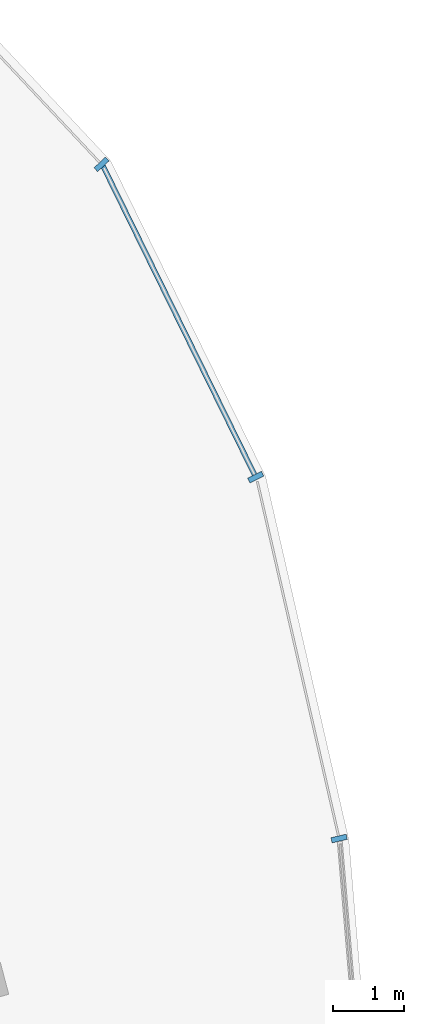
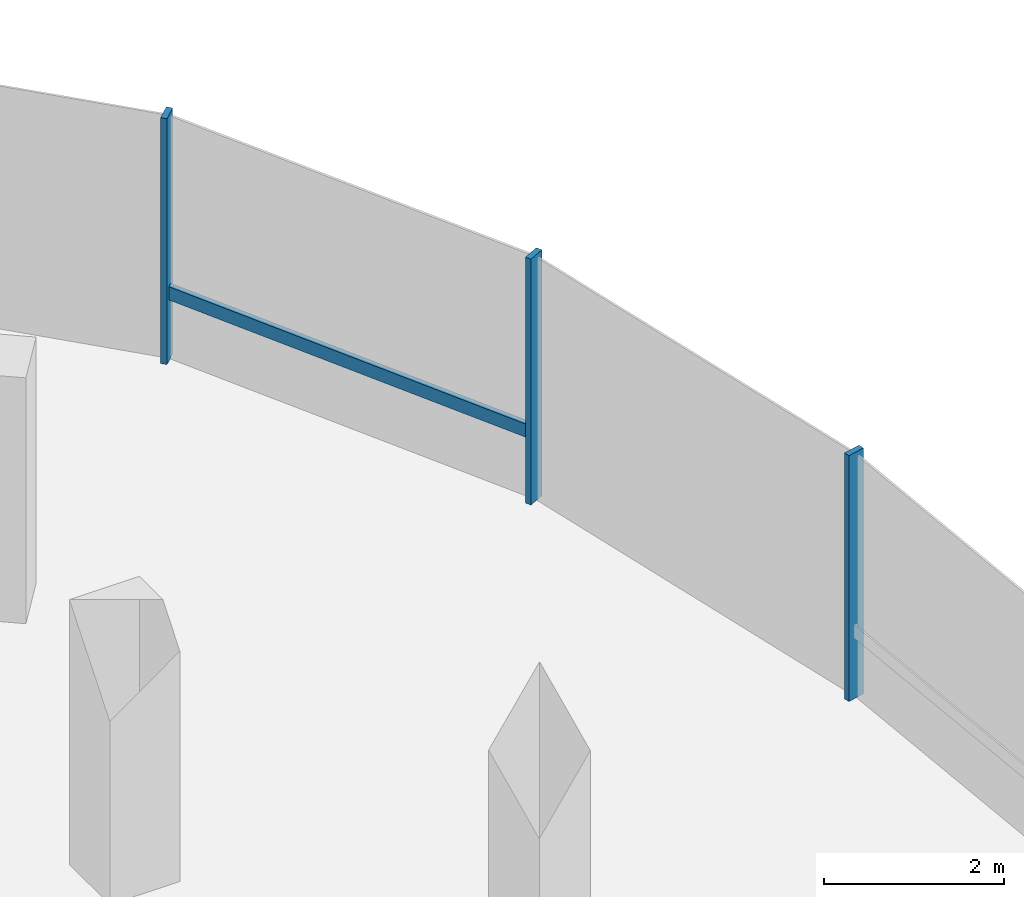
# One storey, part 11 of 25: 4 members, 1 element without a shape of its own.
"""IFC4 building model written with IfcOpenShell, lengths in metres."""

from ifc_helpers import new_model, si_unit, direction, frame, origin, origin_2d, place, context, subcontext, project, spatial, rectangle, extrude, material, material_profile, profile_set, type_object, element, aggregate, save


model = new_model("IFC4")

# Units and contexts
model_context = context("Model", 3, precision=1e-05, world=origin(), true_north=direction((0.0, 1.0)))
body_context = subcontext(model_context, "Body", "Model", "MODEL_VIEW")
ifc_project = project(units=[si_unit("LENGTHUNIT", "METRE"), si_unit("AREAUNIT", "SQUARE_METRE"), si_unit("VOLUMEUNIT", "CUBIC_METRE"), si_unit("PLANEANGLEUNIT", "RADIAN"), si_unit("MASSUNIT", "GRAM", prefix="KILO"), si_unit("THERMODYNAMICTEMPERATUREUNIT", "KELVIN"), si_unit("POWERUNIT", "WATT")], contexts=[model_context])

# Site, building, storey
site_placement = place(None, origin())
site = spatial("IfcSite", under=ifc_project, at=site_placement, CompositionType="ELEMENT")
building_placement = place(site_placement, origin())
building = spatial("IfcBuilding", under=site, at=building_placement, Name="Cundina Bronze Exchange", CompositionType="ELEMENT")
storey_placement = place(building_placement, frame((0.0, 0.0, 272.0)))
storey = spatial("IfcBuildingStorey", under=building, at=storey_placement, Name="L72", CompositionType="ELEMENT", Elevation=272.0)

# Curtain wall, members
ifc_material = material(Name="Anodised Bronze Aluminium 6063-T6", Category="aluminium")
curtain_wall_type = type_object("IfcCurtainWallType", Name="CWS-SKG-BRG", PredefinedType="NOTDEFINED", material=ifc_material)
curtain_wall_placement = place(storey_placement, origin())
curtain_wall = element("IfcCurtainWall", 1, at=curtain_wall_placement, inside=storey, type_object=curtain_wall_type, Name="L72 CW-06 Curtain Wall Run CWR-L72-E1", PredefinedType="NOTDEFINED")
ifc_material_profile_1 = material_profile(ifc_material, rectangle(XDim=0.074951171875, YDim=0.219970703125, at=origin_2d()), Name="AL75X220", Category="aluminium")
ifc_profile_set_1 = profile_set([ifc_material_profile_1], Name="Anodised Bronze Aluminium 6063-T6")
member_type_1 = type_object("IfcMemberType", Name="CWM-MUL-220", PredefinedType="MULLION", material=ifc_profile_set_1)
member_1_placement = place(storey_placement, frame((50.544677734375, 8.4111328125, 0.0), z_axis=(0.0, 0.0, 1.0), x_axis=(-0.223250116011, 0.974761194191, 0.0)))
member_1 = element("IfcMember", 2, at=member_1_placement, type_object=member_type_1, Name="CW-06 Mullion 2", PredefinedType="MULLION", context=body_context, shape_type="SweptSolid", body=[
    extrude(rectangle(XDim=0.074951171875, YDim=0.219970703125, at=origin_2d()), origin(), (0.0, 0.0, 1.0), 3.340087890625),
])
member_2_placement = place(storey_placement, frame((49.369140625, 13.50390625, 0.0), z_axis=(0.0, 0.0, 1.0), x_axis=(-0.440566004113, 0.897720221461, 0.0)))
member_2 = element("IfcMember", 3, at=member_2_placement, type_object=member_type_1, Name="CW-06 Mullion 3", PredefinedType="MULLION", context=body_context, shape_type="SweptSolid", body=[
    extrude(rectangle(XDim=0.074951171875, YDim=0.219970703125, at=origin_2d()), origin(), (0.0, 0.0, 1.0), 3.340087890625),
])
member_3_placement = place(storey_placement, frame((47.1962890625, 17.910400390625, 0.0), z_axis=(0.0, 0.0, 1.0), x_axis=(-0.684292606175, 0.729207535023, 0.0)))
member_3 = element("IfcMember", 4, at=member_3_placement, type_object=member_type_1, Name="CW-06 Mullion 4", PredefinedType="MULLION", context=body_context, shape_type="SweptSolid", body=[
    extrude(rectangle(XDim=0.074951171875, YDim=0.219970703125, at=origin_2d()), origin(), (0.0, 0.0, 1.0), 3.340087890625),
])
ifc_material_profile_2 = material_profile(ifc_material, rectangle(XDim=0.070068359375, YDim=0.179931640625, at=origin_2d()), Name="AL70X180", Category="aluminium")
ifc_profile_set_2 = profile_set([ifc_material_profile_2], Name="Anodised Bronze Aluminium 6063-T6")
member_type_2 = type_object("IfcMemberType", Name="CWM-TRN-180", PredefinedType="USERDEFINED", material=ifc_profile_set_2)
member_4_placement = place(storey_placement, frame((49.35107421875, 13.541015625, 0.919921875), z_axis=(-0.440554408939, 0.897725911826, 0.0), x_axis=(-0.897725911826, -0.440554408939, 0.0)))
member_4 = element("IfcMember", 5, at=member_4_placement, type_object=member_type_2, Name="CW-06 Spandrel Transom 3", ObjectType="TRANSOM", PredefinedType="USERDEFINED", context=body_context, shape_type="SweptSolid", body=[
    extrude(rectangle(XDim=0.070068359375, YDim=0.179931640625, at=origin_2d()), origin(), (0.0, 0.0, 1.0), 4.848388671875),
])
aggregate(curtain_wall, [member_1, member_2, member_4, member_3])

save(model, "model.ifc")
